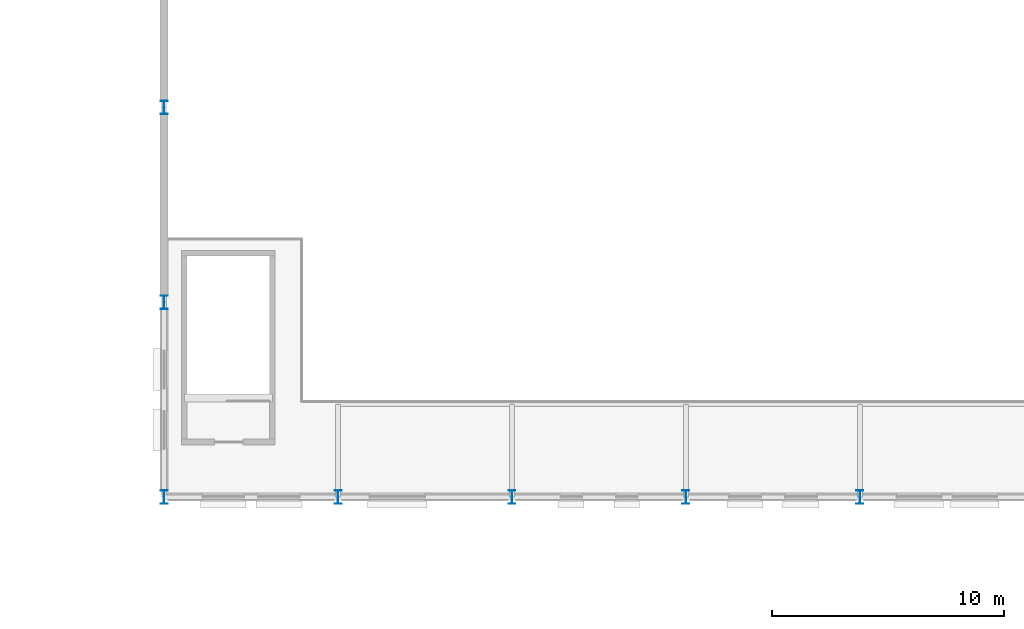
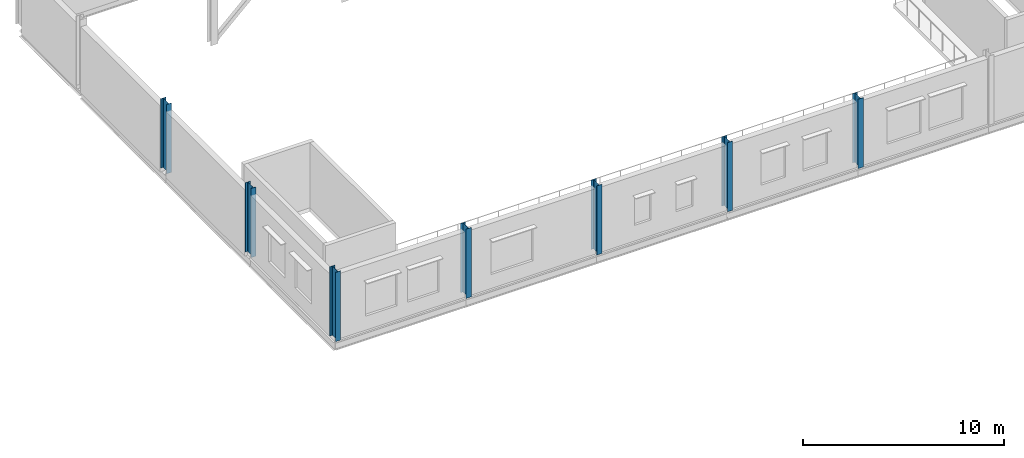
# One storey, part 8 of 75: 7 columns.
"""IFC4 building model written with IfcOpenShell, lengths in metres."""

import ifcopenshell
import ifcopenshell.guid

model = None  # the IFC model being written
_history = None  # IfcOwnerHistory: only IFC2X3 demands one
_inside = {}  # id of a spatial element -> (the spatial element, [elements in it])
_under = {}  # id of a project, library or spatial element -> (it, [spatial elements below it])
_declared = {}  # id of a project -> (the project, [libraries it declares])
_typed = {}  # id of a type object -> (the type object, [elements of that type])
_made_of = {}  # id of a material, layer set ... -> (it, [elements and type objects made of it])


def new_model(schema):
    """Start an empty IFC model of exactly this schema.

    Asked for "IFC4X3", IfcOpenShell would pick the latest addendum, in which some entities
    have other attributes; the version numbers below select the first issue.
    IFC2X3 requires an IfcOwnerHistory on every rooted entity: one is made here for all.
    """
    global model, _history
    if schema == "IFC4X3":
        model = ifcopenshell.file(schema_version=(4, 3, 0, 0))
    else:
        model = ifcopenshell.file(schema=schema)
    _inside.clear()
    _under.clear()
    _declared.clear()
    _typed.clear()
    _made_of.clear()
    _history = None
    if model.schema == "IFC2X3":
        org = make("IfcOrganization", Name="unknown")
        user = make(
            "IfcPersonAndOrganization",
            ThePerson=make("IfcPerson", FamilyName="unknown"),
            TheOrganization=org,
        )
        app = make(
            "IfcApplication",
            ApplicationDeveloper=org,
            Version="unknown",
            ApplicationFullName="unknown",
            ApplicationIdentifier="unknown",
        )
        _history = make(
            "IfcOwnerHistory",
            OwningUser=user,
            OwningApplication=app,
            ChangeAction="ADDED",
            CreationDate=0,
        )
    return model


def make(cls, **values):
    """One entity of the class cls with the attributes given. An attribute that is None is left unset."""
    return model.create_entity(
        cls, **{name: value for name, value in values.items() if value is not None}
    )


def rooted(cls, **values):
    """An entity with a GlobalId (a new one), such as an element, a storey or a relation."""
    return make(cls, GlobalId=ifcopenshell.guid.new(), OwnerHistory=_history, **values)


def si_unit(unit_type, name, prefix=None):
    """IfcSIUnit, for example si_unit("LENGTHUNIT", "METRE", prefix="MILLI")."""
    return make("IfcSIUnit", UnitType=unit_type, Prefix=prefix, Name=name)


def assignment(units):
    """IfcUnitAssignment: the units of a project."""
    return None if units is None else make("IfcUnitAssignment", Units=units)


def point(xyz):
    """IfcCartesianPoint."""
    return None if xyz is None else make("IfcCartesianPoint", Coordinates=xyz)


def direction(xyz):
    """IfcDirection."""
    return None if xyz is None else make("IfcDirection", DirectionRatios=xyz)


def frame(location, z_axis=None, x_axis=None):
    """IfcAxis2Placement3D, a coordinate frame: its origin and axes. An axis left out is left unset."""
    return make(
        "IfcAxis2Placement3D",
        Location=point(location),
        Axis=direction(z_axis),
        RefDirection=direction(x_axis),
    )


def frame_2d(location, x_axis=None):
    """IfcAxis2Placement2D, a coordinate frame in the plane: its origin and x axis."""
    return make(
        "IfcAxis2Placement2D", Location=point(location), RefDirection=direction(x_axis)
    )


def origin():
    """The frame at (0, 0, 0) with its axes left unset."""
    return frame((0.0, 0.0, 0.0))


def origin_2d():
    """The frame at (0, 0) in the plane with its x axis left unset."""
    return frame_2d((0.0, 0.0))


def place(relative_to, where):
    """IfcLocalPlacement: puts the frame where relative to a parent placement (None: the world)."""
    return make(
        "IfcLocalPlacement", PlacementRelTo=relative_to, RelativePlacement=where
    )


def context(
    kind, dimensions, precision=None, world=None, true_north=None, identifier=None
):
    """IfcGeometricRepresentationContext, for example the 3D "Model" context."""
    return make(
        "IfcGeometricRepresentationContext",
        ContextIdentifier=identifier,
        ContextType=kind,
        CoordinateSpaceDimension=dimensions,
        Precision=precision,
        WorldCoordinateSystem=world,
        TrueNorth=true_north,
    )


def subcontext(parent, identifier, kind, view, scale=None):
    """IfcGeometricRepresentationSubContext, for example "Body" below "Model"."""
    return make(
        "IfcGeometricRepresentationSubContext",
        ContextIdentifier=identifier,
        ContextType=kind,
        ParentContext=parent,
        TargetScale=scale,
        TargetView=view,
    )


def project(units=None, contexts=None):
    """IfcProject with its units and contexts."""
    return rooted(
        "IfcProject",
        Name="project",
        RepresentationContexts=contexts,
        UnitsInContext=assignment(units),
    )


def spatial(cls, under=None, at=None, **own):
    """A site, building, storey or space (cls), placed at a placement, below another one or the project."""
    s = rooted(cls, ObjectPlacement=at, **own)
    if under is not None:
        _under.setdefault(under.id(), (under, []))[1].append(s)
    return s


def profile(cls, at=None, kind="AREA", **sizes):
    """A parametric profile (cls). Its sizes go by their IFC names, for example OverallWidth=200.0."""
    return make(cls, ProfileType=kind, Position=at, **sizes)


def i_section(**sizes):
    """IfcIShapeProfileDef."""
    return profile("IfcIShapeProfileDef", **sizes)


def extrude(swept, where, along, depth):
    """IfcExtrudedAreaSolid: the profile swept, set in the frame where, extruded along a direction by depth."""
    return make(
        "IfcExtrudedAreaSolid",
        SweptArea=swept,
        Position=where,
        ExtrudedDirection=direction(along),
        Depth=depth,
    )


def shape(context_of_items, identifier, shape_type, items):
    """IfcShapeRepresentation: the items that make up one representation, for example the "Body"."""
    return make(
        "IfcShapeRepresentation",
        ContextOfItems=context_of_items,
        RepresentationIdentifier=identifier,
        RepresentationType=shape_type,
        Items=items,
    )


def material(Name=None, Category=None):
    """IfcMaterial."""
    return make("IfcMaterial", Name=Name, Category=Category)


def material_profile(
    of_material, cross_section, Name=None, Category=None, Priority=None
):
    """IfcMaterialProfile: a cross section and its material."""
    return make(
        "IfcMaterialProfile",
        Name=Name,
        Material=of_material,
        Profile=cross_section,
        Priority=Priority,
        Category=Category,
    )


def profile_set(profiles, Name=None, composite=None):
    """IfcMaterialProfileSet."""
    return make(
        "IfcMaterialProfileSet",
        Name=Name,
        MaterialProfiles=profiles,
        CompositeProfile=composite,
    )


def made_of(thing, what):
    """Note that an element or type object is made of a material, layer set ...; save() writes the relation."""
    if what is not None:
        _made_of.setdefault(what.id(), (what, []))[1].append(thing)
    return thing


def type_object(cls, material=None, **own):
    """A type object (cls), such as IfcWallType, which elements share."""
    return made_of(rooted(cls, **own), material)


def element(
    cls,
    number,
    at=None,
    inside=None,
    cuts=None,
    type_object=None,
    material=None,
    context=None,
    identifier="Body",
    shape_type=None,
    held_by="IfcProductDefinitionShape",
    body=None,
    shapes=None,
    **own,
):
    """One element of the class cls, such as IfcWall. Its Tag is "e" and its number.

    at: its placement. inside: the storey or other place that contains it. cuts: it is an
    opening in that element (IfcRelVoidsElement). A single representation is given by context,
    identifier, shape_type and body (its items); several are given by shapes. held_by: the class
    of the entity that holds the representations. save() writes the other relations.
    """
    e = rooted(cls, Tag="e%d" % number, ObjectPlacement=at, **own)
    if body is not None:
        shapes = [shape(context, identifier, shape_type, body)]
    if shapes is not None:
        e.Representation = make(held_by, Representations=shapes)
    if inside is not None:
        _inside.setdefault(inside.id(), (inside, []))[1].append(e)
    if cuts is not None:
        rooted(
            "IfcRelVoidsElement", RelatingBuildingElement=cuts, RelatedOpeningElement=e
        )
    if type_object is not None:
        _typed.setdefault(type_object.id(), (type_object, []))[1].append(e)
    return made_of(e, material)


def aggregate(whole, parts):
    """IfcRelAggregates: a whole, such as a stair, and the parts it consists of."""
    return rooted("IfcRelAggregates", RelatingObject=whole, RelatedObjects=parts)


def save(model, path):
    """Write the relations noted so far, then the file.

    IfcRelAggregates (storeys below a building ...), IfcRelContainedInSpatialStructure (elements
    in a storey), IfcRelDefinesByType, IfcRelAssociatesMaterial and IfcRelDeclares: one each for
    every whole, place, type object, material and project.
    """
    for whole, parts in _under.values():
        aggregate(whole, parts)
    for where, things in _inside.values():
        rooted(
            "IfcRelContainedInSpatialStructure",
            RelatedElements=things,
            RelatingStructure=where,
        )
    for kind, things in _typed.values():
        rooted("IfcRelDefinesByType", RelatedObjects=things, RelatingType=kind)
    for what, things in _made_of.values():
        rooted("IfcRelAssociatesMaterial", RelatedObjects=things, RelatingMaterial=what)
    for by, libraries in _declared.values():
        rooted("IfcRelDeclares", RelatingContext=by, RelatedDefinitions=libraries)
    model.write(path)


model = new_model("IFC4")

# Units and contexts
model_context = context("Model", 3, precision=1e-05, world=origin(), true_north=direction((0.0, 1.0)))
body_context = subcontext(model_context, "Body", "Model", "MODEL_VIEW")
ifc_project = project(units=[si_unit("LENGTHUNIT", "METRE"), si_unit("AREAUNIT", "SQUARE_METRE"), si_unit("VOLUMEUNIT", "CUBIC_METRE"), si_unit("PLANEANGLEUNIT", "RADIAN"), si_unit("MASSUNIT", "GRAM", prefix="KILO")], contexts=[model_context])

# Site, building, storey
site_placement = place(None, origin())
site = spatial("IfcSite", under=ifc_project, at=site_placement, CompositionType="ELEMENT")
building_placement = place(site_placement, origin())
building = spatial("IfcBuilding", under=site, at=building_placement, Name="Yukiwa Park Conservatory and Herbarium", CompositionType="ELEMENT")
storey_placement = place(building_placement, frame((0.0, 0.0, 4.800048828125)))
storey = spatial("IfcBuildingStorey", under=building, at=storey_placement, Name="L01", CompositionType="ELEMENT", Elevation=4.800048828125)

# Columns
ifc_material_1 = material(Name="Steel Q355D", Category="steel")
ifc_material_profile_1 = material_profile(ifc_material_1, i_section(OverallWidth=0.300048828125, OverallDepth=0.58203125, WebThickness=0.011962890625, FlangeThickness=0.01708984375, FilletRadius=0.02392578125, at=origin_2d()), Name="HM 582x300x12x17")
ifc_profile_set_1 = profile_set([ifc_material_profile_1], Name="Steel Q355D")
column_type_1 = type_object("IfcColumnType", Name="COL-AU-HM582-EXT", PredefinedType="COLUMN", material=ifc_profile_set_1)
for number, where, z_axis, x_axis, name in (
    (1, (15.0, 78.0, 0.0), (0.0, 0.0, 1.0), (1.0, 0.0, 0.0), "L01 column V4-X150-Y780"),
    (2, (22.5, 78.0, 0.0), (0.0, 0.0, 1.0), (1.0, 0.0, 0.0), "L01 column V4-X225-Y780"),
    (3, (30.0, 78.0, 0.0), (0.0, 0.0, 1.0), (1.0, 0.0, 0.0), "L01 column V4-X300-Y780"),
    (4, (37.5, 78.0, 0.0), (0.0, 0.0, 1.0), (1.0, 0.0, 0.0), "L01 column V4-X375-Y780"),
    (5, (45.0, 78.0, 0.0), (0.0, 0.0, 1.0), (1.0, 0.0, 0.0), "L01 column V4-X450-Y780"),
):
    element("IfcColumn", number, at=place(storey_placement, frame(where, z_axis=z_axis, x_axis=x_axis)), inside=storey, type_object=column_type_1, Name=name, PredefinedType="COLUMN", context=body_context, shape_type="SweptSolid", body=[
        extrude(i_section(OverallWidth=0.300048828125, OverallDepth=0.58203125, WebThickness=0.011962890625, FlangeThickness=0.01708984375, FilletRadius=0.02392578125, at=origin_2d()), origin(), (0.0, 0.0, 1.0), 4.199951171875),
    ])
ifc_material_2 = material(Name="Steel Q355D", Category="steel")
ifc_material_profile_2 = material_profile(ifc_material_2, i_section(OverallWidth=0.300048828125, OverallDepth=0.587890625, WebThickness=0.011962890625, FlangeThickness=0.02001953125, FilletRadius=0.02392578125, at=origin_2d()), Name="HM 588x300x12x20")
ifc_profile_set_2 = profile_set([ifc_material_profile_2], Name="Steel Q355D")
column_type_2 = type_object("IfcColumnType", Name="COL-AU-HM588-EXT", PredefinedType="COLUMN", material=ifc_profile_set_2)
for number, where, z_axis, x_axis, name in (
    (6, (15.0, 86.39990234375, 0.0), (0.0, 0.0, 1.0), (1.0, 0.0, 0.0), "L01 column V4-X150-Y864"),
    (7, (15.0, 94.800048828125, 0.0), (0.0, 0.0, 1.0), (1.0, 0.0, 0.0), "L01 column V4-X150-Y948"),
):
    element("IfcColumn", number, at=place(storey_placement, frame(where, z_axis=z_axis, x_axis=x_axis)), inside=storey, type_object=column_type_2, Name=name, PredefinedType="COLUMN", context=body_context, shape_type="SweptSolid", body=[
        extrude(i_section(OverallWidth=0.300048828125, OverallDepth=0.587890625, WebThickness=0.011962890625, FlangeThickness=0.02001953125, FilletRadius=0.02392578125, at=origin_2d()), origin(), (0.0, 0.0, 1.0), 4.199951171875),
    ])

save(model, "model.ifc")
